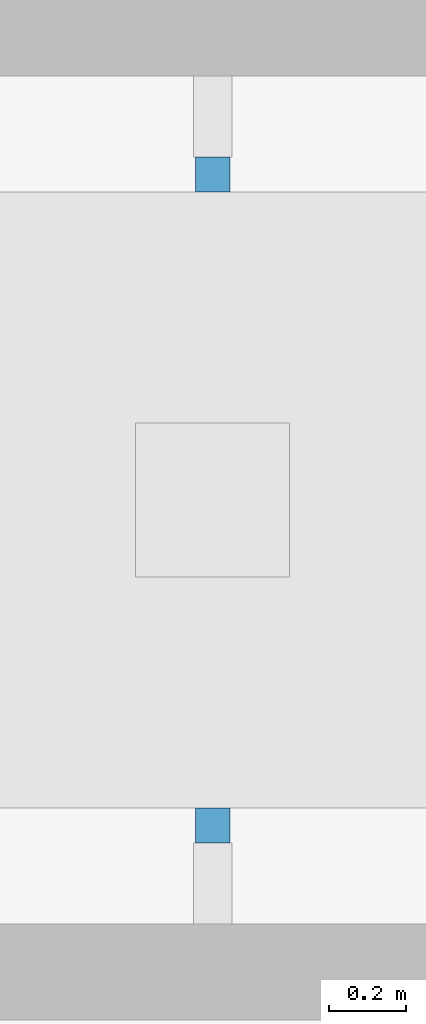
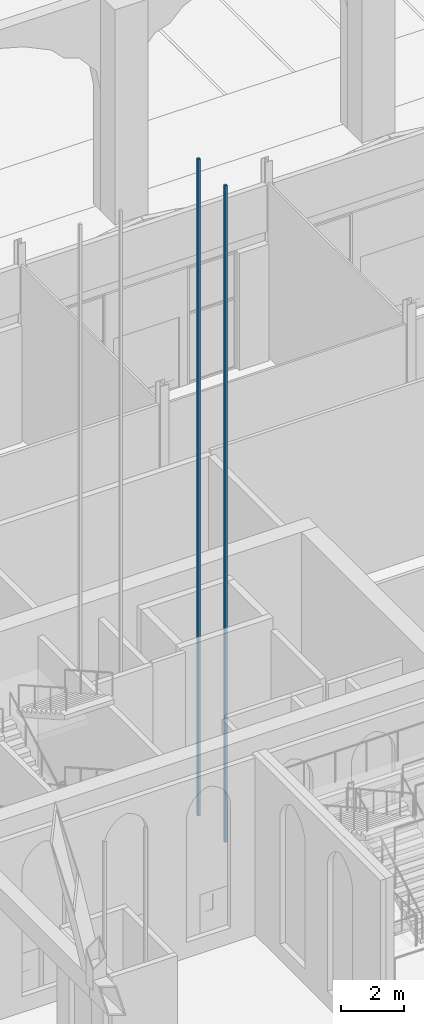
# One storey, part 151 of 250: 2 discrete accessories.
"""IFC4 building model written with IfcOpenShell, lengths in metres."""

from ifc_helpers import new_model, si_unit, direction, frame, origin, origin_2d, place, context, subcontext, project, spatial, rectangle, extrude, material, type_object, element, save


model = new_model("IFC4")

# Units and contexts
model_context = context("Model", 3, precision=1e-05, world=origin(), true_north=direction((0.0, 1.0)))
body_context = subcontext(model_context, "Body", "Model", "MODEL_VIEW")
ifc_project = project(units=[si_unit("LENGTHUNIT", "METRE"), si_unit("AREAUNIT", "SQUARE_METRE"), si_unit("VOLUMEUNIT", "CUBIC_METRE"), si_unit("PLANEANGLEUNIT", "RADIAN"), si_unit("MASSUNIT", "GRAM", prefix="KILO")], contexts=[model_context])

# Site, building, storey
site_placement = place(None, origin())
site = spatial("IfcSite", under=ifc_project, at=site_placement, CompositionType="ELEMENT")
building_placement = place(site_placement, origin())
building = spatial("IfcBuilding", under=site, at=building_placement, Name="Baradari Gate Terminus", CompositionType="ELEMENT")
storey_placement = place(building_placement, origin())
storey = spatial("IfcBuildingStorey", under=building, at=storey_placement, Name="L00", CompositionType="ELEMENT", Elevation=0.0)

# Discrete accessories
ifc_material = material(Name="Steel S355", Category="steel")
discrete_accessory_type = type_object("IfcDiscreteAccessoryType", Name="Lift guide rail GR-L1 90x90", PredefinedType="BRACKET", material=ifc_material)
for number, where, z_axis, x_axis, name in (
    (1, (85.60009765625, 87.405029296875, -1.60009765625), (0.0, 0.0, 1.0), (1.0, 0.0, 0.0), "Lift guide rail LGN2 1"),
    (2, (85.60009765625, 89.094970703125, -1.60009765625), (0.0, 0.0, 1.0), (1.0, 0.0, 0.0), "Lift guide rail LGN2 2"),
):
    element("IfcDiscreteAccessory", number, at=place(storey_placement, frame(where, z_axis=z_axis, x_axis=x_axis)), inside=storey, type_object=discrete_accessory_type, Name=name, PredefinedType="BRACKET", context=body_context, shape_type="SweptSolid", body=[
        extrude(rectangle(XDim=0.090087890625, YDim=0.090087890625, at=origin_2d()), origin(), (0.0, 0.0, 1.0), 25.300048828125),
    ])

save(model, "model.ifc")
